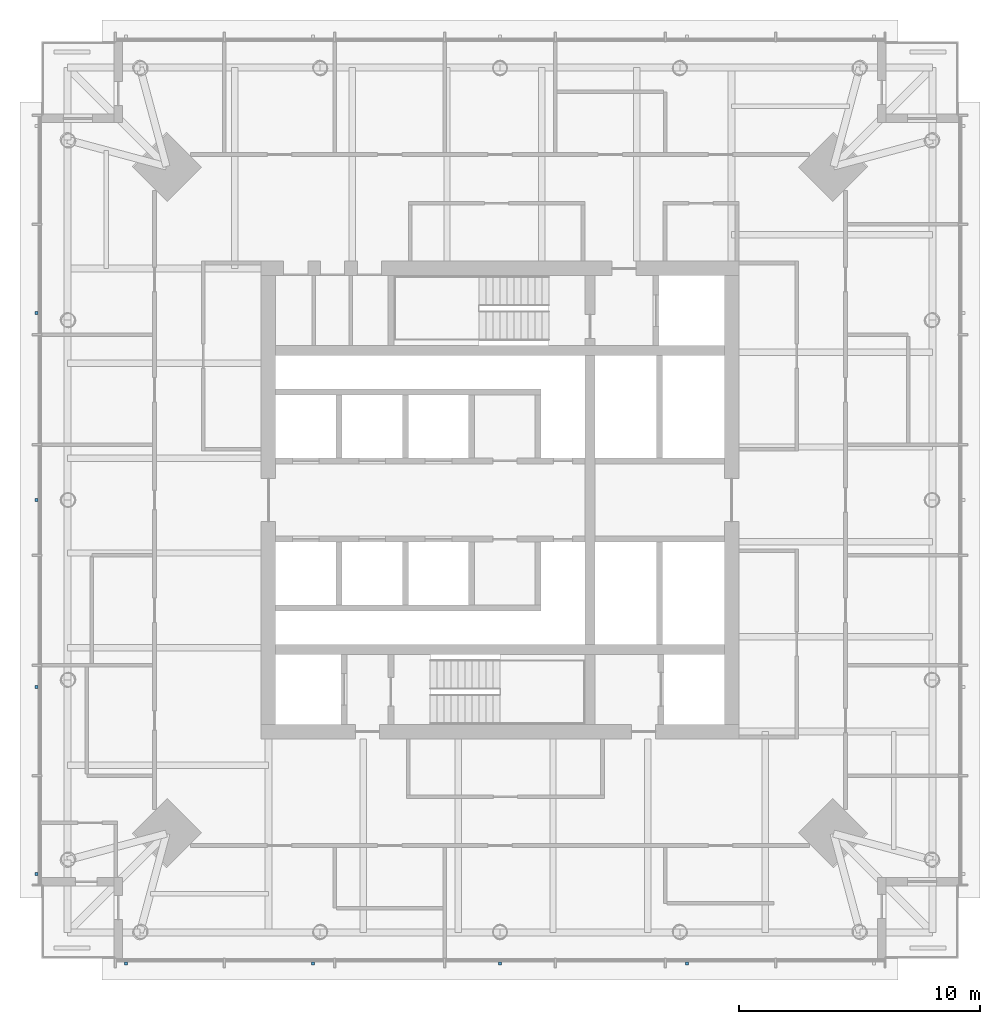
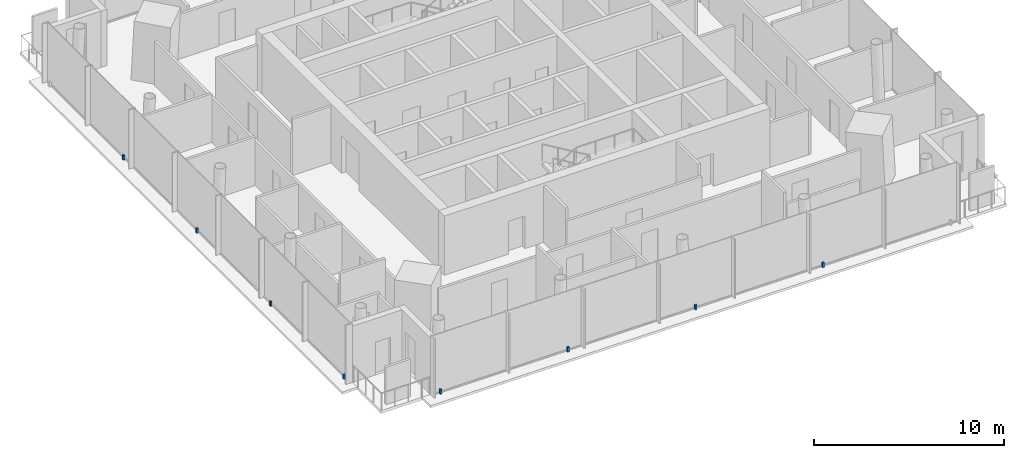
# One storey, part 8 of 11: 8 discrete accessories.
"""IFC4 building model written with IfcOpenShell, lengths in metres."""

from ifc_helpers import new_model, si_unit, direction, frame, origin, origin_2d, place, context, subcontext, project, spatial, rectangle, extrude, material, type_object, element, save


model = new_model("IFC4")

# Units and contexts
model_context = context("Model", 3, precision=1e-05, world=origin(), true_north=direction((0.0, 1.0)))
body_context = subcontext(model_context, "Body", "Model", "MODEL_VIEW")
ifc_project = project(units=[si_unit("LENGTHUNIT", "METRE"), si_unit("AREAUNIT", "SQUARE_METRE"), si_unit("VOLUMEUNIT", "CUBIC_METRE"), si_unit("PLANEANGLEUNIT", "RADIAN"), si_unit("MASSUNIT", "GRAM", prefix="KILO")], contexts=[model_context])

# Site, building, storey
site_placement = place(None, origin())
site = spatial("IfcSite", under=ifc_project, at=site_placement, CompositionType="ELEMENT")
building_placement = place(site_placement, origin())
building = spatial("IfcBuilding", under=site, at=building_placement, Name="Ostroluk Exchange", CompositionType="ELEMENT")
storey_placement = place(building_placement, frame((0.0, 0.0, 211.0)))
storey = spatial("IfcBuildingStorey", under=building, at=storey_placement, Name="L54", CompositionType="ELEMENT", Elevation=211.0)

# Discrete accessories
ifc_material = material(Name="Stainless steel", Category="steel")
discrete_accessory_type = type_object("IfcDiscreteAccessoryType", Name="Fall-arrest anchor PN-EN 795 type C", PredefinedType="USERDEFINED", material=ifc_material)
for number, where, z_axis, x_axis, name in (
    (1, (29.5, 26.7900390625, 0.0), (0.0, 0.0, 1.0), (1.0, 0.0, 0.0), "Fall-arrest anchor L54 south 1"),
    (2, (37.25, 26.7900390625, 0.0), (0.0, 0.0, 1.0), (1.0, 0.0, 0.0), "Fall-arrest anchor L54 south 2"),
    (3, (45.0, 26.7900390625, 0.0), (0.0, 0.0, 1.0), (1.0, 0.0, 0.0), "Fall-arrest anchor L54 south 3"),
    (4, (52.75, 26.7900390625, 0.0), (0.0, 0.0, 1.0), (1.0, 0.0, 0.0), "Fall-arrest anchor L54 south 4"),
    (5, (25.7900390625, 30.5, 0.0), (0.0, 0.0, 1.0), (1.0, 0.0, 0.0), "Fall-arrest anchor L54 west 1"),
    (6, (25.7900390625, 38.25, 0.0), (0.0, 0.0, 1.0), (1.0, 0.0, 0.0), "Fall-arrest anchor L54 west 2"),
    (7, (25.7900390625, 46.0, 0.0), (0.0, 0.0, 1.0), (1.0, 0.0, 0.0), "Fall-arrest anchor L54 west 3"),
    (8, (25.7900390625, 53.75, 0.0), (0.0, 0.0, 1.0), (1.0, 0.0, 0.0), "Fall-arrest anchor L54 west 4"),
):
    element("IfcDiscreteAccessory", number, at=place(storey_placement, frame(where, z_axis=z_axis, x_axis=x_axis)), inside=storey, type_object=discrete_accessory_type, Name=name, ObjectType="FALL ARREST ANCHOR", PredefinedType="USERDEFINED", context=body_context, shape_type="SweptSolid", body=[
        extrude(rectangle(XDim=0.1201171875, YDim=0.1201171875, at=origin_2d()), origin(), (0.0, 0.0, 1.0), 0.300048828125),
    ])

save(model, "model.ifc")
